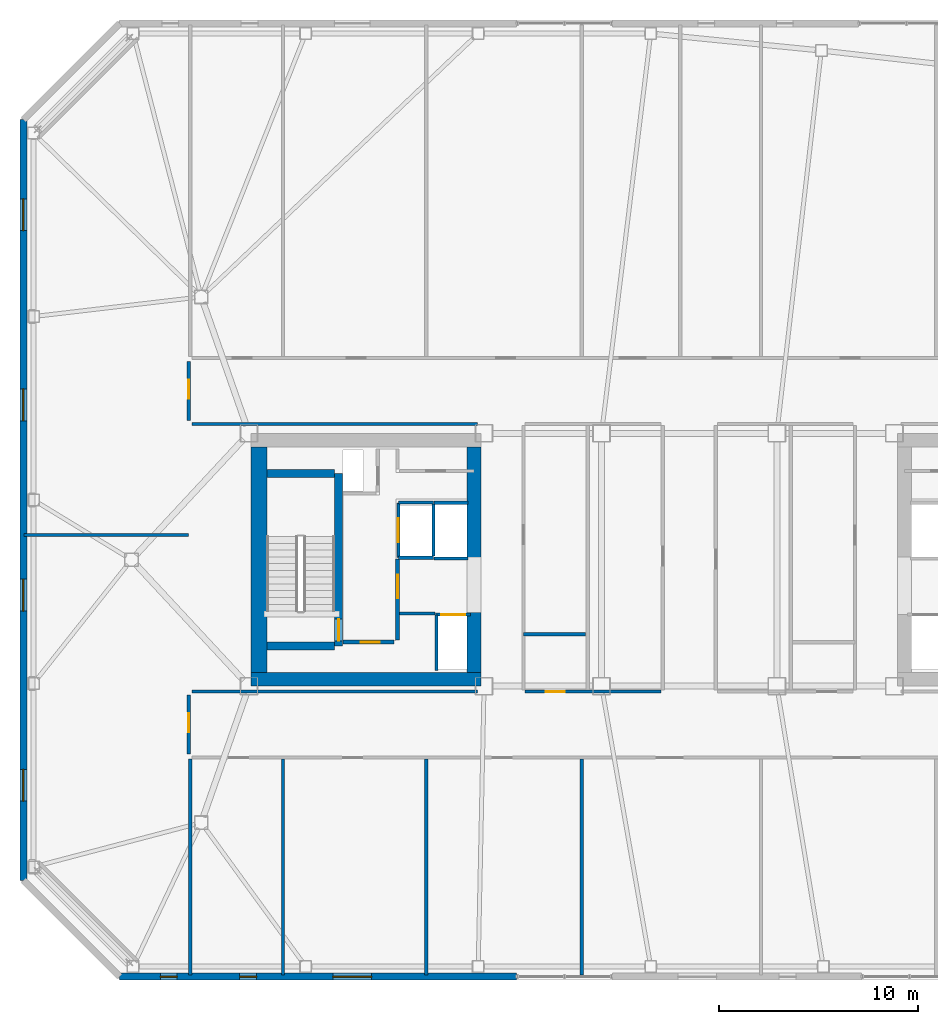
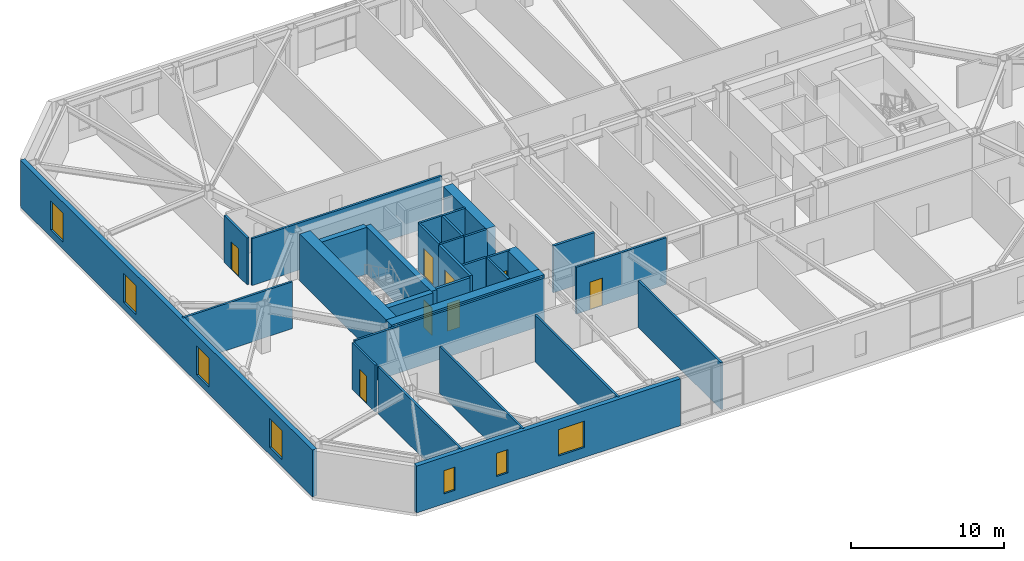
# One storey, part 10 of 18: 31 walls, 8 doors, 7 windows, 15 openings.
"""IFC4 building model written with IfcOpenShell, lengths in metres."""

from ifc_helpers import new_model, si_unit, direction, frame, frame_2d, origin, place, context, subcontext, project, spatial, rectangle, extrude, material, layer, layer_set, type_object, element, fill, save


model = new_model("IFC4")

# Units and contexts
model_context = context("Model", 3, precision=1e-05, world=origin(), true_north=direction((0.0, 1.0)))
body_context = subcontext(model_context, "Body", "Model", "MODEL_VIEW")
ifc_project = project(units=[si_unit("LENGTHUNIT", "METRE"), si_unit("AREAUNIT", "SQUARE_METRE"), si_unit("VOLUMEUNIT", "CUBIC_METRE"), si_unit("PLANEANGLEUNIT", "RADIAN"), si_unit("MASSUNIT", "GRAM", prefix="KILO")], contexts=[model_context])

# Site, building, storey
site_placement = place(None, origin())
site = spatial("IfcSite", under=ifc_project, at=site_placement, CompositionType="ELEMENT")
building_placement = place(site_placement, origin())
building = spatial("IfcBuilding", under=site, at=building_placement, Name="Tavrogorsk Clinical Tower", CompositionType="ELEMENT")
storey_placement = place(building_placement, frame((0.0, 0.0, 200.199951171875)))
storey = spatial("IfcBuildingStorey", under=building, at=storey_placement, Name="L46", CompositionType="ELEMENT", Elevation=200.199951171875)

# Wall, opening, door
ifc_material_1 = material(Name="Concrete B60", Category="concrete")
ifc_layer_1 = layer(ifc_material_1, 0.199951171875)
ifc_layer_set_1 = layer_set([ifc_layer_1], Name="Concrete B60")
wall_type_1 = type_object("IfcWallType", Name="CoreFireWall_200", PredefinedType="SOLIDWALL", material=ifc_layer_set_1)
wall_1_placement = place(storey_placement, frame((-17.3798828125, -4.139892578125, 0.0), z_axis=(0.0, 0.0, 1.0), x_axis=(1.0, 0.0, 0.0)))
wall_1 = element("IfcWall", 1, at=wall_1_placement, inside=storey, type_object=wall_type_1, Name="L46 Core West South Core Room Fire Wall", PredefinedType="SOLIDWALL", context=body_context, shape_type="SweptSolid", body=[
    extrude(rectangle(XDim=2.554931640625, YDim=0.199951171875, at=frame_2d((1.27734375, 0.0))), origin(), (0.0, 0.0, 1.0), 3.739990234375),
])
opening_1_placement = place(wall_1_placement, frame((0.8798828125, 0.0, 0.0)))
opening_1 = element("IfcOpeningElement", 2, at=opening_1_placement, cuts=wall_1, Name="Opening ID-02", PredefinedType="OPENING", context=body_context, shape_type="SweptSolid", body=[
    extrude(rectangle(XDim=0.949951171875, YDim=2.199951171875, at=frame_2d((0.47509765625, 1.10009765625))), frame((0.0, 0.10986328125, 0.0), z_axis=(0.0, -1.0, 0.0), x_axis=(1.0, 0.0, 0.0)), (0.0, 0.0, 1.0), 0.219970703125),
])
ifc_material_2 = material(Name="Laminated timber leaf on aluminium frame", Category="wood")
door_type_1 = type_object("IfcDoorType", Name="InteriorDoor_ID02_950", OperationType="NOTDEFINED", PredefinedType="DOOR", material=ifc_material_2)
door_1_placement = place(opening_1_placement, origin())
door_1 = element("IfcDoor", 3, at=door_1_placement, inside=storey, type_object=door_type_1, Name="L46 Core West South Core Room Door", OperationType="SINGLE_SWING_RIGHT", OverallHeight=2.199951171875, OverallWidth=0.949951171875, PredefinedType="DOOR", context=body_context, shape_type="SweptSolid", body=[
    extrude(rectangle(XDim=0.949951171875, YDim=2.199951171875, at=frame_2d((0.47509765625, 1.10009765625))), frame((0.0, 0.02490234375, 0.0), z_axis=(0.0, -1.0, 0.0), x_axis=(1.0, 0.0, 0.0)), (0.0, 0.0, 1.0), 0.050048828125),
])
fill(opening_1, door_1)

wall_2_placement = place(storey_placement, frame((-14.639892578125, -4.034912109375, 0.0), z_axis=(0.0, 0.0, 1.0), x_axis=(0.0, 1.0, 0.0)))
wall_2 = element("IfcWall", 4, at=wall_2_placement, inside=storey, type_object=wall_type_1, Name="L46 Core West Firefighting Lobby Fire Wall", PredefinedType="SOLIDWALL", context=body_context, shape_type="SweptSolid", body=[
    extrude(rectangle(XDim=4.074951171875, YDim=0.199951171875, at=frame_2d((2.03759765625, 0.0))), origin(), (0.0, 0.0, 1.0), 3.739990234375),
])
opening_2_placement = place(wall_2_placement, frame((2.090087890625, 0.0, 0.0)))
opening_2 = element("IfcOpeningElement", 5, at=opening_2_placement, cuts=wall_2, Name="Opening FD-01", PredefinedType="OPENING", context=body_context, shape_type="SweptSolid", body=[
    extrude(rectangle(XDim=1.199951171875, YDim=2.199951171875, at=frame_2d((0.60009765625, 1.10009765625))), frame((0.0, 0.10986328125, 0.0), z_axis=(0.0, -1.0, 0.0), x_axis=(1.0, 0.0, 0.0)), (0.0, 0.0, 1.0), 0.219970703125),
])
ifc_material_3 = material(Name="Galvanised steel fire-rated door assembly", Category="steel")
door_type_2 = type_object("IfcDoorType", Name="FireDoor_FD01_1200", OperationType="NOTDEFINED", PredefinedType="DOOR", material=ifc_material_3)
door_2_placement = place(opening_2_placement, origin())
door_2 = element("IfcDoor", 6, at=door_2_placement, inside=storey, type_object=door_type_2, Name="L46 Core West Firefighting Lobby Entry Door", OperationType="SINGLE_SWING_RIGHT", OverallHeight=2.199951171875, OverallWidth=1.199951171875, PredefinedType="DOOR", context=body_context, shape_type="SweptSolid", body=[
    extrude(rectangle(XDim=1.199951171875, YDim=2.199951171875, at=frame_2d((0.60009765625, 1.10009765625))), frame((0.0, 0.02490234375, 0.0), z_axis=(0.0, -1.0, 0.0), x_axis=(1.0, 0.0, 0.0)), (0.0, 0.0, 1.0), 0.050048828125),
])
fill(opening_2, door_2)

# Wall
ifc_material_4 = material(Name="Lightweight concrete blockwork B15", Category="masonry")
ifc_layer_2 = layer(ifc_material_4, 0.159912109375)
ifc_layer_set_2 = layer_set([ifc_layer_2], Name="Lightweight concrete blockwork B15")
wall_type_2 = type_object("IfcWallType", Name="PartitionWall_160", PredefinedType="PARTITIONING", material=ifc_layer_set_2)
wall_3_placement = place(storey_placement, frame((-14.534912109375, -2.699951171875, 0.0), z_axis=(0.0, 0.0, 1.0), x_axis=(1.0, 0.0, 0.0)))
element("IfcWall", 7, at=wall_3_placement, inside=storey, type_object=wall_type_2, Name="L46 Core West Freed Low-Bank North Partition", PredefinedType="PARTITIONING", context=body_context, shape_type="SweptSolid", body=[
    extrude(rectangle(XDim=1.760009765625, YDim=0.159912109375, at=frame_2d((0.8798828125, 0.0))), origin(), (0.0, 0.0, 1.0), 3.739990234375),
])

# Wall, opening, door
wall_4_placement = place(storey_placement, frame((-25.1298828125, -9.764892578125, 0.0), z_axis=(0.0, 0.0, 1.0), x_axis=(0.0, 1.0, 0.0)))
wall_4 = element("IfcWall", 8, at=wall_4_placement, inside=storey, type_object=wall_type_2, Name="L46 Corridor Partition 01", PredefinedType="PARTITIONING", context=body_context, shape_type="SweptSolid", body=[
    extrude(rectangle(XDim=2.97998046875, YDim=0.159912109375, at=frame_2d((1.489990234375, 0.0))), origin(), (0.0, 0.0, 1.0), 3.739990234375),
])
opening_3_placement = place(wall_4_placement, frame((1.10009765625, 0.0, 0.0)))
opening_3 = element("IfcOpeningElement", 9, at=opening_3_placement, cuts=wall_4, Name="Opening ID-02", PredefinedType="OPENING", context=body_context, shape_type="SweptSolid", body=[
    extrude(rectangle(XDim=0.949951171875, YDim=2.199951171875, at=frame_2d((0.47509765625, 1.10009765625))), frame((0.0, 0.08984375, 0.0), z_axis=(0.0, -1.0, 0.0), x_axis=(1.0, 0.0, 0.0)), (0.0, 0.0, 1.0), 0.179931640625),
])
door_3_placement = place(opening_3_placement, origin())
door_3 = element("IfcDoor", 10, at=door_3_placement, inside=storey, type_object=door_type_1, Name="L46 W Solarium Day Room & Lounge 1 Door", OperationType="SINGLE_SWING_RIGHT", OverallHeight=2.199951171875, OverallWidth=0.949951171875, PredefinedType="DOOR", context=body_context, shape_type="SweptSolid", body=[
    extrude(rectangle(XDim=0.949951171875, YDim=2.199951171875, at=frame_2d((0.47509765625, 1.10009765625))), frame((0.0, 0.02490234375, 0.0), z_axis=(0.0, -1.0, 0.0), x_axis=(1.0, 0.0, 0.0)), (0.0, 0.0, 1.0), 0.050048828125),
])
fill(opening_3, door_3)

# Walls
for number, where, z_axis, x_axis, name in (
    (11, (-24.965087890625, -6.6201171875, 0.0), (0.0, 0.0, 1.0), (1.0, 0.0, 0.0), "L46 Corridor Partition 02"),
    (12, (-10.6298828125, 6.820068359375, 0.0), (0.0, 0.0, 1.0), (-1.0, 0.0, 0.0), "L46 Corridor Partition 03"),
):
    element("IfcWall", number, at=place(storey_placement, frame(where, z_axis=z_axis, x_axis=x_axis)), inside=storey, type_object=wall_type_2, Name=name, PredefinedType="PARTITIONING", context=body_context, shape_type="SweptSolid", body=[
        extrude(rectangle(XDim=14.335205078125, YDim=0.159912109375, at=frame_2d((7.16748046875, 0.0))), origin(), (0.0, 0.0, 1.0), 3.739990234375),
    ])

# Wall, opening, door
wall_5_placement = place(storey_placement, frame((-25.1298828125, 6.985107421875, 0.0), z_axis=(0.0, 0.0, 1.0), x_axis=(0.0, 1.0, 0.0)))
wall_5 = element("IfcWall", 13, at=wall_5_placement, inside=storey, type_object=wall_type_2, Name="L46 Corridor Partition 04", PredefinedType="PARTITIONING", context=body_context, shape_type="SweptSolid", body=[
    extrude(rectangle(XDim=2.97998046875, YDim=0.159912109375, at=frame_2d((1.489990234375, 0.0))), origin(), (0.0, 0.0, 1.0), 3.739990234375),
])
opening_4_placement = place(wall_5_placement, frame((1.10009765625, 0.0, 0.0)))
opening_4 = element("IfcOpeningElement", 14, at=opening_4_placement, cuts=wall_5, Name="Opening ID-02", PredefinedType="OPENING", context=body_context, shape_type="SweptSolid", body=[
    extrude(rectangle(XDim=0.949951171875, YDim=2.199951171875, at=frame_2d((0.47509765625, 1.10009765625))), frame((0.0, 0.08984375, 0.0), z_axis=(0.0, -1.0, 0.0), x_axis=(1.0, 0.0, 0.0)), (0.0, 0.0, 1.0), 0.179931640625),
])
door_4_placement = place(opening_4_placement, origin())
door_4 = element("IfcDoor", 15, at=door_4_placement, inside=storey, type_object=door_type_1, Name="L46 W Rehabilitation Therapy Suite 2 Door", OperationType="SINGLE_SWING_LEFT", OverallHeight=2.199951171875, OverallWidth=0.949951171875, PredefinedType="DOOR", context=body_context, shape_type="SweptSolid", body=[
    extrude(rectangle(XDim=0.949951171875, YDim=2.199951171875, at=frame_2d((0.47509765625, 1.10009765625))), frame((0.0, 0.02490234375, 0.0), z_axis=(0.0, -1.0, 0.0), x_axis=(1.0, 0.0, 0.0)), (0.0, 0.0, 1.0), 0.050048828125),
])
fill(opening_4, door_4)

wall_6_placement = place(storey_placement, frame((-8.235107421875, -6.6201171875, 0.0), z_axis=(0.0, 0.0, 1.0), x_axis=(1.0, 0.0, 0.0)))
wall_6 = element("IfcWall", 16, at=wall_6_placement, inside=storey, type_object=wall_type_2, Name="L46 Corridor Partition 18", PredefinedType="PARTITIONING", context=body_context, shape_type="SweptSolid", body=[
    extrude(rectangle(XDim=6.820068359375, YDim=0.159912109375, at=frame_2d((3.41015625, 0.0))), origin(), (0.0, 0.0, 1.0), 3.739990234375),
])
opening_5_placement = place(wall_6_placement, frame((1.029052734375, 0.0, 0.0)))
opening_5 = element("IfcOpeningElement", 17, at=opening_5_placement, cuts=wall_6, Name="Opening ID-02", PredefinedType="OPENING", context=body_context, shape_type="SweptSolid", body=[
    extrude(rectangle(XDim=0.949951171875, YDim=2.199951171875, at=frame_2d((0.47509765625, 1.10009765625))), frame((0.0, 0.08984375, 0.0), z_axis=(0.0, -1.0, 0.0), x_axis=(1.0, 0.0, 0.0)), (0.0, 0.0, 1.0), 0.179931640625),
])
door_5_placement = place(opening_5_placement, origin())
door_5 = element("IfcDoor", 18, at=door_5_placement, inside=storey, type_object=door_type_1, Name="L46 Accessible Patient Lavatory Door", OperationType="SINGLE_SWING_RIGHT", OverallHeight=2.199951171875, OverallWidth=0.949951171875, PredefinedType="DOOR", context=body_context, shape_type="SweptSolid", body=[
    extrude(rectangle(XDim=0.949951171875, YDim=2.199951171875, at=frame_2d((0.47509765625, 1.10009765625))), frame((0.0, 0.02490234375, 0.0), z_axis=(0.0, -1.0, 0.0), x_axis=(1.0, 0.0, 0.0)), (0.0, 0.0, 1.0), 0.050048828125),
])
fill(opening_5, door_5)

# Walls
for number, where, z_axis, x_axis, name in (
    (19, (-25.050048828125, -20.860107421875, 0.0), (0.0, 0.0, 1.0), (0.0, 1.0, 0.0), "L46 SW Wing Closure Partition"),
    (20, (-20.39990234375, -20.860107421875, 0.0), (0.0, 0.0, 1.0), (0.0, 1.0, 0.0), "L46 South Room Partition 1"),
    (21, (-13.199951171875, -20.860107421875, 0.0), (0.0, 0.0, 1.0), (0.0, 1.0, 0.0), "L46 South Room Partition 2"),
    (22, (-5.39990234375, -20.860107421875, 0.0), (0.0, 0.0, 1.0), (0.0, 1.0, 0.0), "L46 South Room Partition 3"),
):
    element("IfcWall", number, at=place(storey_placement, frame(where, z_axis=z_axis, x_axis=x_axis)), inside=storey, type_object=wall_type_2, Name=name, PredefinedType="PARTITIONING", context=body_context, shape_type="SweptSolid", body=[
        extrude(rectangle(XDim=10.84521484375, YDim=0.159912109375, at=frame_2d((5.422607421875, 0.0))), origin(), (0.0, 0.0, 1.0), 3.739990234375),
    ])
wall_7_placement = place(storey_placement, frame((-33.409912109375, 1.25, 0.0), z_axis=(0.0, 0.0, 1.0), x_axis=(1.0, 0.0, 0.0)))
element("IfcWall", 23, at=wall_7_placement, inside=storey, type_object=wall_type_2, Name="L46 W Wing Divider 1", PredefinedType="PARTITIONING", context=body_context, shape_type="SweptSolid", body=[
    extrude(rectangle(XDim=8.280029296875, YDim=0.159912109375, at=frame_2d((4.14013671875, 0.0))), origin(), (0.0, 0.0, 1.0), 3.739990234375),
])
ifc_material_5 = material(Name="Lightweight concrete blockwork B20", Category="masonry")
ifc_layer_3 = layer(ifc_material_5, 0.179931640625)
ifc_layer_set_3 = layer_set([ifc_layer_3], Name="Lightweight concrete blockwork B20")
wall_type_3 = type_object("IfcWallType", Name="PartitionWall_180", PredefinedType="PARTITIONING", material=ifc_layer_set_3)
wall_8_placement = place(storey_placement, frame((-8.31494140625, -3.75, 0.0), z_axis=(0.0, 0.0, 1.0), x_axis=(1.0, 0.0, 0.0)))
element("IfcWall", 24, at=wall_8_placement, inside=storey, type_object=wall_type_3, Name="L46 Central Spine Partition 3", PredefinedType="PARTITIONING", context=body_context, shape_type="SweptSolid", body=[
    extrude(rectangle(XDim=3.119873046875, YDim=0.179931640625, at=frame_2d((1.56005859375, 0.0))), origin(), (0.0, 0.0, 1.0), 3.739990234375),
])

# Wall, openings, windows
ifc_material_6 = material(Name="Precast concrete B45 with limestone cladding", Category="masonry")
ifc_layer_4 = layer(ifc_material_6, 0.340087890625)
ifc_layer_set_4 = layer_set([ifc_layer_4], Name="Precast concrete B45 with limestone cladding")
wall_type_4 = type_object("IfcWallType", Name="PrecastLimestoneWall_340", PredefinedType="STANDARD", material=ifc_layer_set_4)
wall_9_placement = place(storey_placement, frame((-28.60009765625, -20.929931640625, 0.0), z_axis=(0.0, 0.0, 1.0), x_axis=(1.0, 0.0, 0.0)))
wall_9 = element("IfcWall", 25, at=wall_9_placement, inside=storey, type_object=wall_type_4, Name="L46 S Limestone Facade Wall 1", PredefinedType="STANDARD", context=body_context, shape_type="SweptSolid", body=[
    extrude(rectangle(XDim=19.937255859375, YDim=0.340087890625, at=frame_2d((9.96875, 0.0))), origin(), (0.0, 0.0, 1.0), 3.739990234375),
])
opening_6_placement = place(wall_9_placement, frame((2.0439453125, 0.0, 0.800048828125)))
opening_6 = element("IfcOpeningElement", 26, at=opening_6_placement, cuts=wall_9, Name="Opening WN-06", PredefinedType="OPENING", context=body_context, shape_type="SweptSolid", body=[
    extrude(rectangle(XDim=0.85009765625, YDim=1.85009765625, at=frame_2d((0.425048828125, 0.925048828125))), frame((0.0, 0.179931640625, 0.0), z_axis=(0.0, -1.0, 0.0), x_axis=(1.0, 0.0, 0.0)), (0.0, 0.0, 1.0), 0.360107421875),
])
opening_7_placement = place(wall_9_placement, frame((6.02880859375, 0.0, 0.800048828125)))
opening_7 = element("IfcOpeningElement", 27, at=opening_7_placement, cuts=wall_9, Name="Opening WN-06", PredefinedType="OPENING", context=body_context, shape_type="SweptSolid", body=[
    extrude(rectangle(XDim=0.85009765625, YDim=1.85009765625, at=frame_2d((0.425048828125, 0.925048828125))), frame((0.0, 0.179931640625, 0.0), z_axis=(0.0, -1.0, 0.0), x_axis=(1.0, 0.0, 0.0)), (0.0, 0.0, 1.0), 0.360107421875),
])
opening_8_placement = place(wall_9_placement, frame((10.706787109375, 0.0, 0.800048828125)))
opening_8 = element("IfcOpeningElement", 28, at=opening_8_placement, cuts=wall_9, Name="Opening WN-13", PredefinedType="OPENING", context=body_context, shape_type="SweptSolid", body=[
    extrude(rectangle(XDim=1.949951171875, YDim=2.10009765625, at=frame_2d((0.97509765625, 1.050048828125))), frame((0.0, 0.179931640625, 0.0), z_axis=(0.0, -1.0, 0.0), x_axis=(1.0, 0.0, 0.0)), (0.0, 0.0, 1.0), 0.360107421875),
])
ifc_material_7 = material(Name="Thermally broken aluminium frame and triple IGU", Category="aluminium")
window_type_1 = type_object("IfcWindowType", Name="ExamRoomWin_1950x2100", PartitioningType="DOUBLE_PANEL_VERTICAL", PredefinedType="WINDOW", material=ifc_material_7)
window_1_placement = place(opening_8_placement, origin())
window_1 = element("IfcWindow", 29, at=window_1_placement, inside=storey, type_object=window_type_1, Name="L46 S Chicago Window 03", OverallHeight=2.10009765625, OverallWidth=1.949951171875, PartitioningType="SINGLE_PANEL", PredefinedType="WINDOW", context=body_context, shape_type="SweptSolid", body=[
    extrude(rectangle(XDim=1.949951171875, YDim=2.10009765625, at=frame_2d((0.97509765625, 1.050048828125))), frame((0.0, 0.030029296875, 0.0), z_axis=(0.0, -1.0, 0.0), x_axis=(1.0, 0.0, 0.0)), (0.0, 0.0, 1.0), 0.06005859375),
])
fill(opening_8, window_1)
ifc_material_8 = material(Name="Thermally broken aluminium frame and triple IGU", Category="aluminium")
window_type_2 = type_object("IfcWindowType", Name="MullionSubWin_850x1850", PartitioningType="SINGLE_PANEL", PredefinedType="WINDOW", material=ifc_material_8)
window_2_placement = place(opening_6_placement, origin())
window_2 = element("IfcWindow", 30, at=window_2_placement, inside=storey, type_object=window_type_2, Name="L46 S Mullion Split Window 01A", OverallHeight=1.85009765625, OverallWidth=0.85009765625, PartitioningType="SINGLE_PANEL", PredefinedType="WINDOW", context=body_context, shape_type="SweptSolid", body=[
    extrude(rectangle(XDim=0.85009765625, YDim=1.85009765625, at=frame_2d((0.425048828125, 0.925048828125))), frame((0.0, 0.030029296875, 0.0), z_axis=(0.0, -1.0, 0.0), x_axis=(1.0, 0.0, 0.0)), (0.0, 0.0, 1.0), 0.06005859375),
])
fill(opening_6, window_2)
window_3_placement = place(opening_7_placement, origin())
window_3 = element("IfcWindow", 31, at=window_3_placement, inside=storey, type_object=window_type_2, Name="L46 S Mullion Split Window 02A", OverallHeight=1.85009765625, OverallWidth=0.85009765625, PartitioningType="SINGLE_PANEL", PredefinedType="WINDOW", context=body_context, shape_type="SweptSolid", body=[
    extrude(rectangle(XDim=0.85009765625, YDim=1.85009765625, at=frame_2d((0.425048828125, 0.925048828125))), frame((0.0, 0.030029296875, 0.0), z_axis=(0.0, -1.0, 0.0), x_axis=(1.0, 0.0, 0.0)), (0.0, 0.0, 1.0), 0.06005859375),
])
fill(opening_7, window_3)

wall_10_placement = place(storey_placement, frame((-33.429931640625, 22.10009765625, 0.0), z_axis=(0.0, 0.0, 1.0), x_axis=(0.0, -1.0, 0.0)))
wall_10 = element("IfcWall", 32, at=wall_10_placement, inside=storey, type_object=wall_type_4, Name="L46 W Pleated Limestone Wing Wall", PredefinedType="STANDARD", context=body_context, shape_type="SweptSolid", body=[
    extrude(rectangle(XDim=38.2001953125, YDim=0.340087890625, at=frame_2d((19.10009765625, 0.0))), origin(), (0.0, 0.0, 1.0), 3.739990234375),
])
opening_9_placement = place(wall_10_placement, frame((3.97509765625, 0.0, 0.580078125)))
opening_9 = element("IfcOpeningElement", 33, at=opening_9_placement, cuts=wall_10, Name="Opening WN-07", PredefinedType="OPENING", context=body_context, shape_type="SweptSolid", body=[
    extrude(rectangle(XDim=1.60009765625, YDim=2.300048828125, at=frame_2d((0.800048828125, 1.14990234375))), frame((0.0, 0.179931640625, 0.0), z_axis=(0.0, -1.0, 0.0), x_axis=(1.0, 0.0, 0.0)), (0.0, 0.0, 1.0), 0.360107421875),
])
opening_10_placement = place(wall_10_placement, frame((13.52490234375, 0.0, 0.580078125)))
opening_10 = element("IfcOpeningElement", 34, at=opening_10_placement, cuts=wall_10, Name="Opening WN-07", PredefinedType="OPENING", context=body_context, shape_type="SweptSolid", body=[
    extrude(rectangle(XDim=1.60009765625, YDim=2.300048828125, at=frame_2d((0.800048828125, 1.14990234375))), frame((0.0, 0.179931640625, 0.0), z_axis=(0.0, -1.0, 0.0), x_axis=(1.0, 0.0, 0.0)), (0.0, 0.0, 1.0), 0.360107421875),
])
opening_11_placement = place(wall_10_placement, frame((23.074951171875, 0.0, 0.580078125)))
opening_11 = element("IfcOpeningElement", 35, at=opening_11_placement, cuts=wall_10, Name="Opening WN-07", PredefinedType="OPENING", context=body_context, shape_type="SweptSolid", body=[
    extrude(rectangle(XDim=1.60009765625, YDim=2.300048828125, at=frame_2d((0.800048828125, 1.14990234375))), frame((0.0, 0.179931640625, 0.0), z_axis=(0.0, -1.0, 0.0), x_axis=(1.0, 0.0, 0.0)), (0.0, 0.0, 1.0), 0.360107421875),
])
opening_12_placement = place(wall_10_placement, frame((32.625, 0.0, 0.580078125)))
opening_12 = element("IfcOpeningElement", 36, at=opening_12_placement, cuts=wall_10, Name="Opening WN-07", PredefinedType="OPENING", context=body_context, shape_type="SweptSolid", body=[
    extrude(rectangle(XDim=1.60009765625, YDim=2.300048828125, at=frame_2d((0.800048828125, 1.14990234375))), frame((0.0, 0.179931640625, 0.0), z_axis=(0.0, -1.0, 0.0), x_axis=(1.0, 0.0, 0.0)), (0.0, 0.0, 1.0), 0.360107421875),
])
ifc_material_9 = material(Name="Thermally broken aluminium frame and triple IGU", Category="aluminium")
window_type_3 = type_object("IfcWindowType", Name="PleatSlotWin_1600x2300", PartitioningType="SINGLE_PANEL", PredefinedType="WINDOW", material=ifc_material_9)
window_4_placement = place(opening_9_placement, origin())
window_4 = element("IfcWindow", 37, at=window_4_placement, inside=storey, type_object=window_type_3, Name="L46 W Pleat Slot Window 1", OverallHeight=2.300048828125, OverallWidth=1.60009765625, PartitioningType="SINGLE_PANEL", PredefinedType="WINDOW", context=body_context, shape_type="SweptSolid", body=[
    extrude(rectangle(XDim=1.60009765625, YDim=2.300048828125, at=frame_2d((0.800048828125, 1.14990234375))), frame((0.0, 0.030029296875, 0.0), z_axis=(0.0, -1.0, 0.0), x_axis=(1.0, 0.0, 0.0)), (0.0, 0.0, 1.0), 0.06005859375),
])
fill(opening_9, window_4)
window_5_placement = place(opening_10_placement, origin())
window_5 = element("IfcWindow", 38, at=window_5_placement, inside=storey, type_object=window_type_3, Name="L46 W Pleat Slot Window 2", OverallHeight=2.300048828125, OverallWidth=1.60009765625, PartitioningType="SINGLE_PANEL", PredefinedType="WINDOW", context=body_context, shape_type="SweptSolid", body=[
    extrude(rectangle(XDim=1.60009765625, YDim=2.300048828125, at=frame_2d((0.800048828125, 1.14990234375))), frame((0.0, 0.030029296875, 0.0), z_axis=(0.0, -1.0, 0.0), x_axis=(1.0, 0.0, 0.0)), (0.0, 0.0, 1.0), 0.06005859375),
])
fill(opening_10, window_5)
window_6_placement = place(opening_11_placement, origin())
window_6 = element("IfcWindow", 39, at=window_6_placement, inside=storey, type_object=window_type_3, Name="L46 W Pleat Slot Window 3", OverallHeight=2.300048828125, OverallWidth=1.60009765625, PartitioningType="SINGLE_PANEL", PredefinedType="WINDOW", context=body_context, shape_type="SweptSolid", body=[
    extrude(rectangle(XDim=1.60009765625, YDim=2.300048828125, at=frame_2d((0.800048828125, 1.14990234375))), frame((0.0, 0.030029296875, 0.0), z_axis=(0.0, -1.0, 0.0), x_axis=(1.0, 0.0, 0.0)), (0.0, 0.0, 1.0), 0.06005859375),
])
fill(opening_11, window_6)
window_7_placement = place(opening_12_placement, origin())
window_7 = element("IfcWindow", 40, at=window_7_placement, inside=storey, type_object=window_type_3, Name="L46 W Pleat Slot Window 4", OverallHeight=2.300048828125, OverallWidth=1.60009765625, PartitioningType="SINGLE_PANEL", PredefinedType="WINDOW", context=body_context, shape_type="SweptSolid", body=[
    extrude(rectangle(XDim=1.60009765625, YDim=2.300048828125, at=frame_2d((0.800048828125, 1.14990234375))), frame((0.0, 0.030029296875, 0.0), z_axis=(0.0, -1.0, 0.0), x_axis=(1.0, 0.0, 0.0)), (0.0, 0.0, 1.0), 0.06005859375),
])
fill(opening_12, window_7)

# Wall, opening, door
ifc_material_10 = material(Name="Lightweight concrete blockwork B25", Category="masonry")
ifc_layer_5 = layer(ifc_material_10, 0.159912109375)
ifc_layer_set_5 = layer_set([ifc_layer_5], Name="Lightweight concrete blockwork B25")
wall_type_5 = type_object("IfcWallType", Name="ShaftWall_160", PredefinedType="PARTITIONING", material=ifc_layer_set_5)
wall_11_placement = place(storey_placement, frame((-14.60009765625, 0.1201171875, 0.0), z_axis=(0.0, 0.0, 1.0), x_axis=(0.0, 1.0, 0.0)))
wall_11 = element("IfcWall", 41, at=wall_11_placement, inside=storey, type_object=wall_type_5, Name="L46 FFL-W Firefighting Lift Front Wall", PredefinedType="PARTITIONING", context=body_context, shape_type="SweptSolid", body=[
    extrude(rectangle(XDim=2.739990234375, YDim=0.159912109375, at=frame_2d((1.3701171875, 0.0))), origin(), (0.0, 0.0, 1.0), 3.739990234375),
])
opening_13_placement = place(wall_11_placement, frame((0.77001953125, 0.0, 0.0)))
opening_13 = element("IfcOpeningElement", 42, at=opening_13_placement, cuts=wall_11, Name="Opening LD", PredefinedType="OPENING", context=body_context, shape_type="SweptSolid", body=[
    extrude(rectangle(XDim=1.199951171875, YDim=2.199951171875, at=frame_2d((0.60009765625, 1.10009765625))), frame((0.0, 0.08984375, 0.0), z_axis=(0.0, -1.0, 0.0), x_axis=(1.0, 0.0, 0.0)), (0.0, 0.0, 1.0), 0.179931640625),
])
ifc_material_11 = material(Name="Brushed stainless steel AISI 304 sliding doors", Category="steel")
door_type_3 = type_object("IfcDoorType", Name="LiftLandingDoor_LD_1200", OperationType="SLIDING_TO_LEFT", PredefinedType="DOOR", material=ifc_material_11)
door_6_placement = place(opening_13_placement, origin())
door_6 = element("IfcDoor", 43, at=door_6_placement, inside=storey, type_object=door_type_3, Name="L46 FFL-W Sliding Lift Landing Door", OperationType="SLIDING_TO_LEFT", OverallHeight=2.199951171875, OverallWidth=1.199951171875, PredefinedType="DOOR", context=body_context, shape_type="SweptSolid", body=[
    extrude(rectangle(XDim=1.199951171875, YDim=2.199951171875, at=frame_2d((0.60009765625, 1.10009765625))), frame((0.0, 0.02490234375, 0.0), z_axis=(0.0, -1.0, 0.0), x_axis=(1.0, 0.0, 0.0)), (0.0, 0.0, 1.0), 0.050048828125),
])
fill(opening_13, door_6)

# Walls
for number, where, z_axis, x_axis, name in (
    (44, (-14.60009765625, 0.10009765625, 0.0), (0.0, 0.0, 1.0), (1.0, 0.0, 0.0), "L46 FFL-W Shaft South Wall"),
    (45, (-14.60009765625, 2.8798828125, 0.0), (0.0, 0.0, 1.0), (1.0, 0.0, 0.0), "L46 FFL-W Shaft North Wall"),
):
    element("IfcWall", number, at=place(storey_placement, frame(where, z_axis=z_axis, x_axis=x_axis)), inside=storey, type_object=wall_type_5, Name=name, PredefinedType="PARTITIONING", context=body_context, shape_type="SweptSolid", body=[
        extrude(rectangle(XDim=1.760009765625, YDim=0.159912109375, at=frame_2d((0.8798828125, 0.0))), origin(), (0.0, 0.0, 1.0), 3.739990234375),
    ])
wall_12_placement = place(storey_placement, frame((-12.840087890625, 0.179931640625, 0.0), z_axis=(0.0, 0.0, 1.0), x_axis=(0.0, 1.0, 0.0)))
element("IfcWall", 46, at=wall_12_placement, inside=storey, type_object=wall_type_5, Name="L46 FFL-W Shaft Back Wall", PredefinedType="PARTITIONING", context=body_context, shape_type="SweptSolid", body=[
    extrude(rectangle(XDim=2.6201171875, YDim=0.159912109375, at=frame_2d((1.31005859375, 0.0))), origin(), (0.0, 0.0, 1.0), 3.739990234375),
])

# Wall, opening, door
wall_13_placement = place(storey_placement, frame((-12.72998046875, -2.75, 0.0), z_axis=(0.0, 0.0, 1.0), x_axis=(1.0, 0.0, 0.0)))
wall_13 = element("IfcWall", 47, at=wall_13_placement, inside=storey, type_object=wall_type_5, Name="L46 LP-M1 Lift Shaft Portal Wall", PredefinedType="PARTITIONING", context=body_context, shape_type="SweptSolid", body=[
    extrude(rectangle(XDim=1.760009765625, YDim=0.159912109375, at=frame_2d((0.8798828125, 0.0))), origin(), (0.0, 0.0, 1.0), 3.739990234375),
])
opening_14_placement = place(wall_13_placement, frame((0.280029296875, 0.0, 0.0)))
opening_14 = element("IfcOpeningElement", 48, at=opening_14_placement, cuts=wall_13, Name="Opening LD", PredefinedType="OPENING", context=body_context, shape_type="SweptSolid", body=[
    extrude(rectangle(XDim=1.199951171875, YDim=2.199951171875, at=frame_2d((0.60009765625, 1.10009765625))), frame((0.0, 0.08984375, 0.0), z_axis=(0.0, -1.0, 0.0), x_axis=(1.0, 0.0, 0.0)), (0.0, 0.0, 1.0), 0.179931640625),
])
door_7_placement = place(opening_14_placement, origin())
door_7 = element("IfcDoor", 49, at=door_7_placement, inside=storey, type_object=door_type_3, Name="L46 LP-M1 Sliding Lift Landing Door", OperationType="SLIDING_TO_LEFT", OverallHeight=2.199951171875, OverallWidth=1.199951171875, PredefinedType="DOOR", context=body_context, shape_type="SweptSolid", body=[
    extrude(rectangle(XDim=1.199951171875, YDim=2.199951171875, at=frame_2d((0.60009765625, 1.10009765625))), frame((0.0, 0.02490234375, 0.0), z_axis=(0.0, -1.0, 0.0), x_axis=(1.0, 0.0, 0.0)), (0.0, 0.0, 1.0), 0.050048828125),
])
fill(opening_14, door_7)

# Walls
for number, where, z_axis, x_axis, name in (
    (50, (-12.820068359375, 0.06005859375, 0.0), (0.0, 0.0, 1.0), (1.0, 0.0, 0.0), "L46 LP-H1 High-Zone Lift Portal Wall"),
    (51, (-12.820068359375, 2.860107421875, 0.0), (0.0, 0.0, 1.0), (1.0, 0.0, 0.0), "L46 LP-H1 High-Zone Lift Rear Wall"),
):
    element("IfcWall", number, at=place(storey_placement, frame(where, z_axis=z_axis, x_axis=x_axis)), inside=storey, type_object=wall_type_5, Name=name, PredefinedType="PARTITIONING", context=body_context, shape_type="SweptSolid", body=[
        extrude(rectangle(XDim=1.719970703125, YDim=0.159912109375, at=frame_2d((0.85986328125, 0.0))), origin(), (0.0, 0.0, 1.0), 3.739990234375),
    ])
wall_14_placement = place(storey_placement, frame((-12.68994140625, -5.56005859375, 0.0), z_axis=(0.0, 0.0, 1.0), x_axis=(0.0, 1.0, 0.0)))
element("IfcWall", 52, at=wall_14_placement, inside=storey, type_object=wall_type_5, Name="L46 Core West Freed Low-Bank Shaft Divider", PredefinedType="PARTITIONING", context=body_context, shape_type="SweptSolid", body=[
    extrude(rectangle(XDim=2.775146484375, YDim=0.159912109375, at=frame_2d((1.3876953125, 0.0))), origin(), (0.0, 0.0, 1.0), 3.739990234375),
])

# Wall, opening, door
ifc_material_12 = material(Name="Concrete B80", Category="concrete")
ifc_layer_6 = layer(ifc_material_12, 0.39990234375)
ifc_layer_set_6 = layer_set([ifc_layer_6], Name="Concrete B80")
wall_type_6 = type_object("IfcWallType", Name="ShearWall_400", PredefinedType="SHEAR", material=ifc_layer_set_6)
wall_15_placement = place(storey_placement, frame((-17.60009765625, -4.324951171875, 0.0), z_axis=(0.0, 0.0, 1.0), x_axis=(0.0, 1.0, 0.0)))
wall_15 = element("IfcWall", 53, at=wall_15_placement, inside=storey, type_object=wall_type_6, Name="L46 Core West Stair Shaft Inner Shear Wall", PredefinedType="SHEAR", context=body_context, shape_type="SweptSolid", body=[
    extrude(rectangle(XDim=8.64990234375, YDim=0.39990234375, at=frame_2d((4.324951171875, 0.0))), origin(), (0.0, 0.0, 1.0), 3.739990234375),
])
opening_15_placement = place(wall_15_placement, frame((0.25, 0.0, 0.0)))
opening_15 = element("IfcOpeningElement", 54, at=opening_15_placement, cuts=wall_15, Name="Opening SD-01", PredefinedType="OPENING", context=body_context, shape_type="SweptSolid", body=[
    extrude(rectangle(XDim=1.10009765625, YDim=2.199951171875, at=frame_2d((0.550048828125, 1.10009765625))), frame((0.0, 0.2099609375, 0.0), z_axis=(0.0, -1.0, 0.0), x_axis=(1.0, 0.0, 0.0)), (0.0, 0.0, 1.0), 0.419921875),
])
ifc_material_13 = material(Name="Galvanised steel smoke-tight fire door assembly", Category="steel")
door_type_4 = type_object("IfcDoorType", Name="StairFireDoor_SD01_1100", OperationType="NOTDEFINED", PredefinedType="DOOR", material=ifc_material_13)
door_8_placement = place(opening_15_placement, origin())
door_8 = element("IfcDoor", 55, at=door_8_placement, inside=storey, type_object=door_type_4, Name="L46 ST-W Exit Stair Door", OperationType="SINGLE_SWING_LEFT", OverallHeight=2.199951171875, OverallWidth=1.10009765625, PredefinedType="DOOR", context=body_context, shape_type="SweptSolid", body=[
    extrude(rectangle(XDim=1.10009765625, YDim=2.199951171875, at=frame_2d((0.550048828125, 1.10009765625))), frame((0.0, 0.02490234375, 0.0), z_axis=(0.0, -1.0, 0.0), x_axis=(1.0, 0.0, 0.0)), (0.0, 0.0, 1.0), 0.050048828125),
])
fill(opening_15, door_8)

# Walls
for number, where, z_axis, x_axis, name in (
    (56, (-21.199951171875, -4.324951171875, 0.0), (0.0, 0.0, 1.0), (1.0, 0.0, 0.0), "L46 Core West Stair Shaft South Shear Wall"),
    (57, (-21.199951171875, 4.324951171875, 0.0), (0.0, 0.0, 1.0), (1.0, 0.0, 0.0), "L46 Core West Stair Shaft North Shear Wall"),
):
    element("IfcWall", number, at=place(storey_placement, frame(where, z_axis=z_axis, x_axis=x_axis)), inside=storey, type_object=wall_type_6, Name=name, PredefinedType="SHEAR", context=body_context, shape_type="SweptSolid", body=[
        extrude(rectangle(XDim=3.39990234375, YDim=0.39990234375, at=frame_2d((1.699951171875, 0.0))), origin(), (0.0, 0.0, 1.0), 3.739990234375),
    ])
ifc_material_14 = material(Name="Concrete B80", Category="concrete")
ifc_layer_7 = layer(ifc_material_14, 0.699951171875)
ifc_layer_set_7 = layer_set([ifc_layer_7], Name="Concrete B80")
wall_type_7 = type_object("IfcWallType", Name="ShearWall_700", PredefinedType="SHEAR", material=ifc_layer_set_7)
wall_16_placement = place(storey_placement, frame((-22.0, -6.0, 0.0), z_axis=(0.0, 0.0, 1.0), x_axis=(1.0, 0.0, 0.0)))
element("IfcWall", 58, at=wall_16_placement, inside=storey, type_object=wall_type_7, Name="L46 Core West South Shear Wall", PredefinedType="SHEAR", context=body_context, shape_type="SweptSolid", body=[
    extrude(rectangle(XDim=11.550048828125, YDim=0.699951171875, at=frame_2d((5.77490234375, 0.0))), origin(), (0.0, 0.0, 1.0), 3.739990234375),
])
wall_17_placement = place(storey_placement, frame((-10.800048828125, -5.64990234375, 0.0), z_axis=(0.0, 0.0, 1.0), x_axis=(0.0, 1.0, 0.0)))
element("IfcWall", 59, at=wall_17_placement, inside=storey, type_object=wall_type_7, Name="L46 Core West Inner South Pier", PredefinedType="SHEAR", context=body_context, shape_type="SweptSolid", body=[
    extrude(rectangle(XDim=3.0, YDim=0.699951171875, at=frame_2d((1.5, 0.0))), origin(), (0.0, 0.0, 1.0), 3.739990234375),
])
wall_18_placement = place(storey_placement, frame((-10.800048828125, 0.050048828125, 0.0), z_axis=(0.0, 0.0, 1.0), x_axis=(0.0, 1.0, 0.0)))
element("IfcWall", 60, at=wall_18_placement, inside=storey, type_object=wall_type_7, Name="L46 Core West Inner North Pier", PredefinedType="SHEAR", context=body_context, shape_type="SweptSolid", body=[
    extrude(rectangle(XDim=5.599853515625, YDim=0.699951171875, at=frame_2d((2.7998046875, 0.0))), origin(), (0.0, 0.0, 1.0), 3.739990234375),
])
ifc_material_15 = material(Name="Concrete B80", Category="concrete")
ifc_layer_8 = layer(ifc_material_15, 0.800048828125)
ifc_layer_set_8 = layer_set([ifc_layer_8], Name="Concrete B80")
wall_type_8 = type_object("IfcWallType", Name="ShearWall_800", PredefinedType="SHEAR", material=ifc_layer_set_8)
wall_19_placement = place(storey_placement, frame((-21.60009765625, -5.64990234375, 0.0), z_axis=(0.0, 0.0, 1.0), x_axis=(0.0, 1.0, 0.0)))
element("IfcWall", 61, at=wall_19_placement, inside=storey, type_object=wall_type_8, Name="L46 Core West End Shear Wall", PredefinedType="SHEAR", context=body_context, shape_type="SweptSolid", body=[
    extrude(rectangle(XDim=11.2998046875, YDim=0.800048828125, at=frame_2d((5.64990234375, 0.0))), origin(), (0.0, 0.0, 1.0), 3.739990234375),
])

save(model, "model.ifc")
